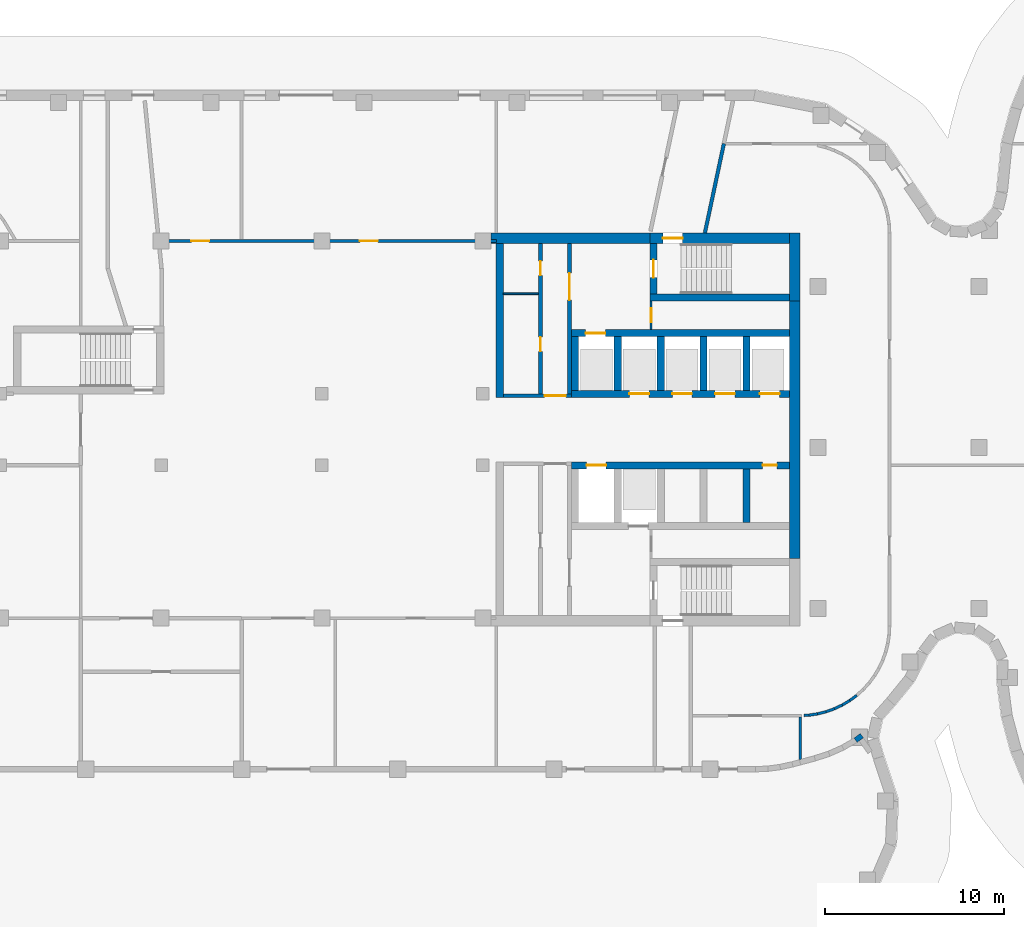
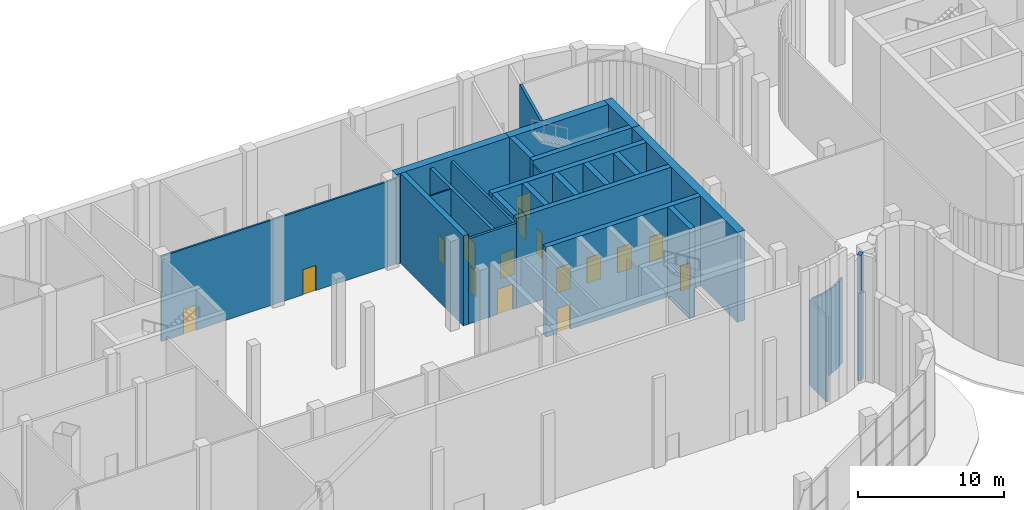
# One storey, part 18 of 30: 32 walls, 16 doors, 16 openings.
"""IFC4 building model written with IfcOpenShell, lengths in metres."""

from ifc_helpers import new_model, si_unit, direction, frame, frame_2d, origin, place, context, subcontext, project, spatial, rectangle, extrude, material, layer, layer_set, type_object, element, fill, save


model = new_model("IFC4")

# Units and contexts
model_context = context("Model", 3, precision=1e-05, world=origin(), true_north=direction((0.0, 1.0)))
body_context = subcontext(model_context, "Body", "Model", "MODEL_VIEW")
ifc_project = project(units=[si_unit("LENGTHUNIT", "METRE"), si_unit("AREAUNIT", "SQUARE_METRE"), si_unit("VOLUMEUNIT", "CUBIC_METRE"), si_unit("PLANEANGLEUNIT", "RADIAN"), si_unit("MASSUNIT", "GRAM", prefix="KILO")], contexts=[model_context])

# Site, building, storey
site_placement = place(None, origin())
site = spatial("IfcSite", under=ifc_project, at=site_placement, CompositionType="ELEMENT")
building_placement = place(site_placement, origin())
building = spatial("IfcBuilding", under=site, at=building_placement, Name="Skarvind Civic Tower", CompositionType="ELEMENT")
storey_placement = place(building_placement, origin())
storey = spatial("IfcBuildingStorey", under=building, at=storey_placement, Name="L00", CompositionType="ELEMENT", Elevation=0.0)

# Wall, opening, door
ifc_material_1 = material(Name="Fire-rated masonry partition", Category="masonry")
ifc_layer_1 = layer(ifc_material_1, 0.199951171875)
ifc_layer_set_1 = layer_set([ifc_layer_1], Name="Core enclosure wall 200")
wall_type_1 = type_object("IfcWallType", Name="Core enclosure wall 200", PredefinedType="PARTITIONING", material=ifc_layer_set_1)
wall_1_placement = place(storey_placement, frame((91.39990234375, 129.89990234375, 0.0), z_axis=(0.0, 0.0, 1.0), x_axis=(1.0, 0.0, 0.0)))
wall_1 = element("IfcWall", 1, at=wall_1_placement, inside=storey, type_object=wall_type_1, Name="Core wall C1", PredefinedType="PARTITIONING", context=body_context, shape_type="SweptSolid", body=[
    extrude(rectangle(XDim=3.800048828125, YDim=0.199951171875, at=frame_2d((1.89990234375, 0.0))), origin(), (0.0, 0.0, 1.0), 7.10009765625),
])
opening_1_placement = place(wall_1_placement, frame((2.300048828125, 0.0, 0.0)))
opening_1 = element("IfcOpeningElement", 2, at=opening_1_placement, cuts=wall_1, Name="Opening D-L00-C1-12", PredefinedType="OPENING", context=body_context, shape_type="SweptSolid", body=[
    extrude(rectangle(XDim=1.199951171875, YDim=2.10009765625, at=frame_2d((0.60009765625, 1.050048828125))), frame((0.0, 0.10986328125, 0.0), z_axis=(0.0, -1.0, 0.0), x_axis=(1.0, 0.0, 0.0)), (0.0, 0.0, 1.0), 0.219970703125),
])
ifc_material_2 = material(Name="Fire-rated steel door", Category="steel")
door_type_1 = type_object("IfcDoorType", Name="Core lobby door 1200", OperationType="NOTDEFINED", PredefinedType="DOOR", material=ifc_material_2)
door_1_placement = place(opening_1_placement, origin())
door_1 = element("IfcDoor", 3, at=door_1_placement, inside=storey, type_object=door_type_1, Name="Fire door", OperationType="DOUBLE_DOOR_SINGLE_SWING", OverallHeight=2.10009765625, OverallWidth=1.199951171875, PredefinedType="DOOR", context=body_context, shape_type="SweptSolid", body=[
    extrude(rectangle(XDim=1.199951171875, YDim=2.10009765625, at=frame_2d((0.60009765625, 1.050048828125))), frame((0.0, 0.02490234375, 0.0), z_axis=(0.0, -1.0, 0.0), x_axis=(1.0, 0.0, 0.0)), (0.0, 0.0, 1.0), 0.050048828125),
])
fill(opening_1, door_1)

wall_2_placement = place(storey_placement, frame((95.10009765625, 130.0, 0.0), z_axis=(0.0, 0.0, 1.0), x_axis=(0.0, 1.0, 0.0)))
wall_2 = element("IfcWall", 4, at=wall_2_placement, inside=storey, type_object=wall_type_1, Name="Core wall C1", PredefinedType="PARTITIONING", context=body_context, shape_type="SweptSolid", body=[
    extrude(rectangle(XDim=8.39990234375, YDim=0.199951171875, at=frame_2d((4.199951171875, 0.0))), origin(), (0.0, 0.0, 1.0), 7.10009765625),
])
opening_2_placement = place(wall_2_placement, frame((5.25, 0.0, 0.0)))
opening_2 = element("IfcOpeningElement", 5, at=opening_2_placement, cuts=wall_2, Name="Opening D-L00-C1-13", PredefinedType="OPENING", context=body_context, shape_type="SweptSolid", body=[
    extrude(rectangle(XDim=1.5, YDim=2.10009765625, at=frame_2d((0.75, 1.050048828125))), frame((0.0, 0.10986328125, 0.0), z_axis=(0.0, -1.0, 0.0), x_axis=(1.0, 0.0, 0.0)), (0.0, 0.0, 1.0), 0.219970703125),
])
door_type_2 = type_object("IfcDoorType", Name="Fire door 1500", OperationType="NOTDEFINED", PredefinedType="DOOR", material=ifc_material_2)
door_2_placement = place(opening_2_placement, origin())
door_2 = element("IfcDoor", 6, at=door_2_placement, inside=storey, type_object=door_type_2, Name="Fire door", OperationType="DOUBLE_DOOR_SINGLE_SWING", OverallHeight=2.10009765625, OverallWidth=1.5, PredefinedType="DOOR", context=body_context, shape_type="SweptSolid", body=[
    extrude(rectangle(XDim=1.5, YDim=2.10009765625, at=frame_2d((0.75, 1.050048828125))), frame((0.0, 0.02490234375, 0.0), z_axis=(0.0, -1.0, 0.0), x_axis=(1.0, 0.0, 0.0)), (0.0, 0.0, 1.0), 0.050048828125),
])
fill(opening_2, door_2)

# Walls
ifc_material_3 = material(Name="Fire-rated plasterboard partition")
ifc_layer_2 = layer(ifc_material_3, 0.10009765625)
ifc_layer_set_2 = layer_set([ifc_layer_2], Name="Core partition wall 100")
wall_type_2 = type_object("IfcWallType", Name="Core partition wall 100", PredefinedType="PARTITIONING", material=ifc_layer_set_2)
wall_3_placement = place(storey_placement, frame((91.39990234375, 135.60009765625, 0.0), z_axis=(0.0, 0.0, 1.0), x_axis=(1.0, 0.0, 0.0)))
element("IfcWall", 7, at=wall_3_placement, inside=storey, type_object=wall_type_2, Name="Core wall C1", PredefinedType="PARTITIONING", context=body_context, shape_type="SweptSolid", body=[
    extrude(rectangle(XDim=1.9501953125, YDim=0.10009765625, at=frame_2d((0.97509765625, 0.0))), origin(), (0.0, 0.0, 1.0), 7.10009765625),
])
ifc_material_4 = material(Name="Concrete C80", Category="concrete")
ifc_layer_3 = layer(ifc_material_4, 0.39990234375)
ifc_layer_set_3 = layer_set([ifc_layer_3], Name="Core wall 400 C80")
wall_type_3 = type_object("IfcWallType", Name="Core wall 400 C80", PredefinedType="SHEAR", material=ifc_layer_set_3)
wall_4_placement = place(storey_placement, frame((107.39990234375, 135.39990234375, 0.0), z_axis=(0.0, 0.0, 1.0), x_axis=(-1.0, 0.0, 0.0)))
element("IfcWall", 8, at=wall_4_placement, inside=storey, type_object=wall_type_3, Name="Core wall C1 south stair inner L00", PredefinedType="SHEAR", context=body_context, shape_type="SweptSolid", body=[
    extrude(rectangle(XDim=7.7998046875, YDim=0.39990234375, at=frame_2d((3.89990234375, 0.0))), origin(), (0.0, 0.0, 1.0), 7.5),
])

# Wall, opening, door
wall_5_placement = place(storey_placement, frame((99.800048828125, 138.39990234375, 0.0), z_axis=(0.0, 0.0, 1.0), x_axis=(0.0, -1.0, 0.0)))
wall_5 = element("IfcWall", 9, at=wall_5_placement, inside=storey, type_object=wall_type_3, Name="Core wall C1 south stair end L00", PredefinedType="SHEAR", context=body_context, shape_type="SweptSolid", body=[
    extrude(rectangle(XDim=2.7998046875, YDim=0.39990234375, at=frame_2d((1.39990234375, 0.0))), origin(), (0.0, 0.0, 1.0), 7.5),
])
opening_3_placement = place(wall_5_placement, frame((0.89990234375, 0.0, 0.0)))
opening_3 = element("IfcOpeningElement", 10, at=opening_3_placement, cuts=wall_5, Name="Opening D-L00-C1-14", PredefinedType="OPENING", context=body_context, shape_type="SweptSolid", body=[
    extrude(rectangle(XDim=1.0, YDim=2.10009765625, at=frame_2d((0.5, 1.050048828125))), frame((0.0, 0.2099609375, 0.0), z_axis=(0.0, -1.0, 0.0), x_axis=(1.0, 0.0, 0.0)), (0.0, 0.0, 1.0), 0.419921875),
])
door_type_3 = type_object("IfcDoorType", Name="Fire door 1000", OperationType="NOTDEFINED", PredefinedType="DOOR", material=ifc_material_2)
door_3_placement = place(opening_3_placement, origin())
door_3 = element("IfcDoor", 11, at=door_3_placement, inside=storey, type_object=door_type_3, Name="Fire door", OperationType="SINGLE_SWING_RIGHT", OverallHeight=2.10009765625, OverallWidth=1.0, PredefinedType="DOOR", context=body_context, shape_type="SweptSolid", body=[
    extrude(rectangle(XDim=1.0, YDim=2.10009765625, at=frame_2d((0.5, 1.050048828125))), frame((0.0, 0.02490234375, 0.0), z_axis=(0.0, -1.0, 0.0), x_axis=(1.0, 0.0, 0.0)), (0.0, 0.0, 1.0), 0.050048828125),
])
fill(opening_3, door_3)

# Wall, openings, doors
wall_6_placement = place(storey_placement, frame((107.39990234375, 130.0, 0.0), z_axis=(0.0, 0.0, 1.0), x_axis=(-1.0, 0.0, 0.0)))
wall_6 = element("IfcWall", 12, at=wall_6_placement, inside=storey, type_object=wall_type_3, Name="Core wall C1 south lift row front L00", PredefinedType="SHEAR", context=body_context, shape_type="SweptSolid", body=[
    extrude(rectangle(XDim=12.199951171875, YDim=0.39990234375, at=frame_2d((6.10009765625, 0.0))), origin(), (0.0, 0.0, 1.0), 7.5),
])
opening_4_placement = place(wall_6_placement, frame((0.550048828125, 0.0, 0.0)))
opening_4 = element("IfcOpeningElement", 13, at=opening_4_placement, cuts=wall_6, Name="Opening LD02106", PredefinedType="OPENING", context=body_context, shape_type="SweptSolid", body=[
    extrude(rectangle(XDim=1.10009765625, YDim=2.10009765625, at=frame_2d((0.550048828125, 1.050048828125))), frame((0.0, 0.2099609375, 0.0), z_axis=(0.0, -1.0, 0.0), x_axis=(1.0, 0.0, 0.0)), (0.0, 0.0, 1.0), 0.419921875),
])
opening_5_placement = place(wall_6_placement, frame((3.050048828125, 0.0, 0.0)))
opening_5 = element("IfcOpeningElement", 14, at=opening_5_placement, cuts=wall_6, Name="Opening LD02107", PredefinedType="OPENING", context=body_context, shape_type="SweptSolid", body=[
    extrude(rectangle(XDim=1.10009765625, YDim=2.10009765625, at=frame_2d((0.550048828125, 1.050048828125))), frame((0.0, 0.2099609375, 0.0), z_axis=(0.0, -1.0, 0.0), x_axis=(1.0, 0.0, 0.0)), (0.0, 0.0, 1.0), 0.419921875),
])
opening_6_placement = place(wall_6_placement, frame((5.449951171875, 0.0, 0.0)))
opening_6 = element("IfcOpeningElement", 15, at=opening_6_placement, cuts=wall_6, Name="Opening LD02108", PredefinedType="OPENING", context=body_context, shape_type="SweptSolid", body=[
    extrude(rectangle(XDim=1.10009765625, YDim=2.10009765625, at=frame_2d((0.550048828125, 1.050048828125))), frame((0.0, 0.2099609375, 0.0), z_axis=(0.0, -1.0, 0.0), x_axis=(1.0, 0.0, 0.0)), (0.0, 0.0, 1.0), 0.419921875),
])
opening_7_placement = place(wall_6_placement, frame((7.85009765625, 0.0, 0.0)))
opening_7 = element("IfcOpeningElement", 16, at=opening_7_placement, cuts=wall_6, Name="Opening LD02109", PredefinedType="OPENING", context=body_context, shape_type="SweptSolid", body=[
    extrude(rectangle(XDim=1.10009765625, YDim=2.10009765625, at=frame_2d((0.550048828125, 1.050048828125))), frame((0.0, 0.2099609375, 0.0), z_axis=(0.0, -1.0, 0.0), x_axis=(1.0, 0.0, 0.0)), (0.0, 0.0, 1.0), 0.419921875),
])
ifc_material_5 = material(Name="Stainless steel landing door", Category="steel")
door_type_4 = type_object("IfcDoorType", Name="Lift landing door 1100", OperationType="DOUBLE_DOOR_SLIDING", PredefinedType="DOOR", material=ifc_material_5)
door_4_placement = place(opening_4_placement, origin())
door_4 = element("IfcDoor", 17, at=door_4_placement, inside=storey, type_object=door_type_4, Name="Lift landing door", OperationType="DOUBLE_DOOR_SLIDING", OverallHeight=2.10009765625, OverallWidth=1.10009765625, PredefinedType="DOOR", context=body_context, shape_type="SweptSolid", body=[
    extrude(rectangle(XDim=1.10009765625, YDim=2.10009765625, at=frame_2d((0.550048828125, 1.050048828125))), frame((0.0, 0.02490234375, 0.0), z_axis=(0.0, -1.0, 0.0), x_axis=(1.0, 0.0, 0.0)), (0.0, 0.0, 1.0), 0.050048828125),
])
fill(opening_4, door_4)
door_5_placement = place(opening_5_placement, origin())
door_5 = element("IfcDoor", 18, at=door_5_placement, inside=storey, type_object=door_type_4, Name="Lift landing door", OperationType="DOUBLE_DOOR_SLIDING", OverallHeight=2.10009765625, OverallWidth=1.10009765625, PredefinedType="DOOR", context=body_context, shape_type="SweptSolid", body=[
    extrude(rectangle(XDim=1.10009765625, YDim=2.10009765625, at=frame_2d((0.550048828125, 1.050048828125))), frame((0.0, 0.02490234375, 0.0), z_axis=(0.0, -1.0, 0.0), x_axis=(1.0, 0.0, 0.0)), (0.0, 0.0, 1.0), 0.050048828125),
])
fill(opening_5, door_5)
door_6_placement = place(opening_6_placement, origin())
door_6 = element("IfcDoor", 19, at=door_6_placement, inside=storey, type_object=door_type_4, Name="Lift landing door", OperationType="DOUBLE_DOOR_SLIDING", OverallHeight=2.10009765625, OverallWidth=1.10009765625, PredefinedType="DOOR", context=body_context, shape_type="SweptSolid", body=[
    extrude(rectangle(XDim=1.10009765625, YDim=2.10009765625, at=frame_2d((0.550048828125, 1.050048828125))), frame((0.0, 0.02490234375, 0.0), z_axis=(0.0, -1.0, 0.0), x_axis=(1.0, 0.0, 0.0)), (0.0, 0.0, 1.0), 0.050048828125),
])
fill(opening_6, door_6)
door_7_placement = place(opening_7_placement, origin())
door_7 = element("IfcDoor", 20, at=door_7_placement, inside=storey, type_object=door_type_4, Name="Lift landing door", OperationType="DOUBLE_DOOR_SLIDING", OverallHeight=2.10009765625, OverallWidth=1.10009765625, PredefinedType="DOOR", context=body_context, shape_type="SweptSolid", body=[
    extrude(rectangle(XDim=1.10009765625, YDim=2.10009765625, at=frame_2d((0.550048828125, 1.050048828125))), frame((0.0, 0.02490234375, 0.0), z_axis=(0.0, -1.0, 0.0), x_axis=(1.0, 0.0, 0.0)), (0.0, 0.0, 1.0), 0.050048828125),
])
fill(opening_7, door_7)

# Wall, opening, door
wall_7_placement = place(storey_placement, frame((107.39990234375, 133.39990234375, 0.0), z_axis=(0.0, 0.0, 1.0), x_axis=(-1.0, 0.0, 0.0)))
wall_7 = element("IfcWall", 21, at=wall_7_placement, inside=storey, type_object=wall_type_3, Name="Core wall C1 south lift row back L00", PredefinedType="SHEAR", context=body_context, shape_type="SweptSolid", body=[
    extrude(rectangle(XDim=12.199951171875, YDim=0.39990234375, at=frame_2d((6.10009765625, 0.0))), origin(), (0.0, 0.0, 1.0), 7.5),
])
opening_8_placement = place(wall_7_placement, frame((10.300048828125, 0.0, 0.0)))
opening_8 = element("IfcOpeningElement", 22, at=opening_8_placement, cuts=wall_7, Name="Opening LD02110", PredefinedType="OPENING", context=body_context, shape_type="SweptSolid", body=[
    extrude(rectangle(XDim=1.10009765625, YDim=2.10009765625, at=frame_2d((0.550048828125, 1.050048828125))), frame((0.0, 0.2099609375, 0.0), z_axis=(0.0, -1.0, 0.0), x_axis=(1.0, 0.0, 0.0)), (0.0, 0.0, 1.0), 0.419921875),
])
door_8_placement = place(opening_8_placement, origin())
door_8 = element("IfcDoor", 23, at=door_8_placement, inside=storey, type_object=door_type_4, Name="Lift landing door", OperationType="DOUBLE_DOOR_SLIDING", OverallHeight=2.10009765625, OverallWidth=1.10009765625, PredefinedType="DOOR", context=body_context, shape_type="SweptSolid", body=[
    extrude(rectangle(XDim=1.10009765625, YDim=2.10009765625, at=frame_2d((0.550048828125, 1.050048828125))), frame((0.0, 0.02490234375, 0.0), z_axis=(0.0, -1.0, 0.0), x_axis=(1.0, 0.0, 0.0)), (0.0, 0.0, 1.0), 0.050048828125),
])
fill(opening_8, door_8)

# Walls
for number, where, z_axis, x_axis, name in (
    (24, (105.0, 133.199951171875, 0.0), (0.0, 0.0, 1.0), (0.0, -1.0, 0.0), "Core wall C1 south lift row division 1 L00"),
    (25, (102.60009765625, 133.199951171875, 0.0), (0.0, 0.0, 1.0), (0.0, -1.0, 0.0), "Core wall C1 south lift row division 2 L00"),
    (26, (100.199951171875, 133.199951171875, 0.0), (0.0, 0.0, 1.0), (0.0, -1.0, 0.0), "Core wall C1 south lift row division 3 L00"),
    (27, (97.800048828125, 133.199951171875, 0.0), (0.0, 0.0, 1.0), (0.0, -1.0, 0.0), "Core wall C1 south lift row division 4 L00"),
    (28, (95.39990234375, 133.199951171875, 0.0), (0.0, 0.0, 1.0), (0.0, -1.0, 0.0), "Core wall C1 south lift row division 5 L00"),
):
    element("IfcWall", number, at=place(storey_placement, frame(where, z_axis=z_axis, x_axis=x_axis)), inside=storey, type_object=wall_type_3, Name=name, PredefinedType="SHEAR", context=body_context, shape_type="SweptSolid", body=[
        extrude(rectangle(XDim=3.0, YDim=0.39990234375, at=frame_2d((1.5, 0.0))), origin(), (0.0, 0.0, 1.0), 7.5),
    ])

# Wall, openings, doors
wall_8_placement = place(storey_placement, frame((107.39990234375, 126.0, 0.0), z_axis=(0.0, 0.0, 1.0), x_axis=(-1.0, 0.0, 0.0)))
wall_8 = element("IfcWall", 29, at=wall_8_placement, inside=storey, type_object=wall_type_3, Name="Core wall C1 north lift row front L00", PredefinedType="SHEAR", context=body_context, shape_type="SweptSolid", body=[
    extrude(rectangle(XDim=12.199951171875, YDim=0.39990234375, at=frame_2d((6.10009765625, 0.0))), origin(), (0.0, 0.0, 1.0), 7.5),
])
opening_9_placement = place(wall_8_placement, frame((10.25, 0.0, 0.0)))
opening_9 = element("IfcOpeningElement", 30, at=opening_9_placement, cuts=wall_8, Name="Opening LD02105", PredefinedType="OPENING", context=body_context, shape_type="SweptSolid", body=[
    extrude(rectangle(XDim=1.10009765625, YDim=2.10009765625, at=frame_2d((0.550048828125, 1.050048828125))), frame((0.0, 0.2099609375, 0.0), z_axis=(0.0, -1.0, 0.0), x_axis=(1.0, 0.0, 0.0)), (0.0, 0.0, 1.0), 0.419921875),
])
opening_10_placement = place(wall_8_placement, frame((0.699951171875, 0.0, 0.0)))
opening_10 = element("IfcOpeningElement", 31, at=opening_10_placement, cuts=wall_8, Name="Opening D-L00-C1-06", PredefinedType="OPENING", context=body_context, shape_type="SweptSolid", body=[
    extrude(rectangle(XDim=0.800048828125, YDim=2.10009765625, at=frame_2d((0.39990234375, 1.050048828125))), frame((0.0, 0.2099609375, 0.0), z_axis=(0.0, -1.0, 0.0), x_axis=(1.0, 0.0, 0.0)), (0.0, 0.0, 1.0), 0.419921875),
])
door_type_5 = type_object("IfcDoorType", Name="Core riser door 800", OperationType="NOTDEFINED", PredefinedType="DOOR", material=ifc_material_2)
door_9_placement = place(opening_10_placement, origin())
door_9 = element("IfcDoor", 32, at=door_9_placement, inside=storey, type_object=door_type_5, Name="Riser door", OperationType="SINGLE_SWING_LEFT", OverallHeight=2.10009765625, OverallWidth=0.800048828125, PredefinedType="DOOR", context=body_context, shape_type="SweptSolid", body=[
    extrude(rectangle(XDim=0.800048828125, YDim=2.10009765625, at=frame_2d((0.39990234375, 1.050048828125))), frame((0.0, 0.02490234375, 0.0), z_axis=(0.0, -1.0, 0.0), x_axis=(1.0, 0.0, 0.0)), (0.0, 0.0, 1.0), 0.050048828125),
])
fill(opening_10, door_9)
door_10_placement = place(opening_9_placement, origin())
door_10 = element("IfcDoor", 33, at=door_10_placement, inside=storey, type_object=door_type_4, Name="Lift landing door", OperationType="DOUBLE_DOOR_SLIDING", OverallHeight=2.10009765625, OverallWidth=1.10009765625, PredefinedType="DOOR", context=body_context, shape_type="SweptSolid", body=[
    extrude(rectangle(XDim=1.10009765625, YDim=2.10009765625, at=frame_2d((0.550048828125, 1.050048828125))), frame((0.0, 0.02490234375, 0.0), z_axis=(0.0, -1.0, 0.0), x_axis=(1.0, 0.0, 0.0)), (0.0, 0.0, 1.0), 0.050048828125),
])
fill(opening_9, door_10)

# Walls
wall_9_placement = place(storey_placement, frame((105.0, 125.800048828125, 0.0), z_axis=(0.0, 0.0, 1.0), x_axis=(0.0, -1.0, 0.0)))
element("IfcWall", 34, at=wall_9_placement, inside=storey, type_object=wall_type_3, Name="Core wall C1 north lift row division 1 L00", PredefinedType="SHEAR", context=body_context, shape_type="SweptSolid", body=[
    extrude(rectangle(XDim=3.0, YDim=0.39990234375, at=frame_2d((1.5, 0.0))), origin(), (0.0, 0.0, 1.0), 7.5),
])
wall_10_placement = place(storey_placement, frame((91.199951171875, 138.39990234375, 0.0), z_axis=(0.0, 0.0, 1.0), x_axis=(0.0, -1.0, 0.0)))
element("IfcWall", 35, at=wall_10_placement, inside=storey, type_object=wall_type_3, Name="Core wall C1 south inner face L00", PredefinedType="SHEAR", context=body_context, shape_type="SweptSolid", body=[
    extrude(rectangle(XDim=8.599853515625, YDim=0.39990234375, at=frame_2d((4.2998046875, 0.0))), origin(), (0.0, 0.0, 1.0), 7.5),
])
ifc_layer_4 = layer(ifc_material_4, 0.60009765625)
ifc_layer_set_4 = layer_set([ifc_layer_4], Name="Core wall 600 C80")
wall_type_4 = type_object("IfcWallType", Name="Core wall 600 C80", PredefinedType="SHEAR", material=ifc_layer_set_4)
wall_11_placement = place(storey_placement, frame((107.699951171875, 139.0, 0.0), z_axis=(0.0, 0.0, 1.0), x_axis=(0.0, -1.0, 0.0)))
element("IfcWall", 36, at=wall_11_placement, inside=storey, type_object=wall_type_4, Name="Core wall C1 tip at the south stair L00", PredefinedType="SHEAR", context=body_context, shape_type="SweptSolid", body=[
    extrude(rectangle(XDim=3.800048828125, YDim=0.60009765625, at=frame_2d((1.89990234375, 0.0))), origin(), (0.0, 0.0, 1.0), 7.5),
])
wall_12_placement = place(storey_placement, frame((107.699951171875, 135.199951171875, 0.0), z_axis=(0.0, 0.0, 1.0), x_axis=(0.0, -1.0, 0.0)))
element("IfcWall", 37, at=wall_12_placement, inside=storey, type_object=wall_type_4, Name="Core wall C1 tip between the stairs L00", PredefinedType="SHEAR", context=body_context, shape_type="SweptSolid", body=[
    extrude(rectangle(XDim=14.39990234375, YDim=0.60009765625, at=frame_2d((7.199951171875, 0.0))), origin(), (0.0, 0.0, 1.0), 7.5),
])

# Wall, opening, door
wall_13_placement = place(storey_placement, frame((107.39990234375, 138.699951171875, 0.0), z_axis=(0.0, 0.0, 1.0), x_axis=(-1.0, 0.0, 0.0)))
wall_13 = element("IfcWall", 38, at=wall_13_placement, inside=storey, type_object=wall_type_4, Name="Core wall C1 south side at the stair L00", PredefinedType="SHEAR", context=body_context, shape_type="SweptSolid", body=[
    extrude(rectangle(XDim=7.7998046875, YDim=0.60009765625, at=frame_2d((3.89990234375, 0.0))), origin(), (0.0, 0.0, 1.0), 7.5),
])
opening_11_placement = place(wall_13_placement, frame((5.97509765625, 0.0, 0.0)))
opening_11 = element("IfcOpeningElement", 39, at=opening_11_placement, cuts=wall_13, Name="Opening D-L00-C1-20", PredefinedType="OPENING", context=body_context, shape_type="SweptSolid", body=[
    extrude(rectangle(XDim=1.10009765625, YDim=2.10009765625, at=frame_2d((0.550048828125, 1.050048828125))), frame((0.0, 0.31005859375, 0.0), z_axis=(0.0, -1.0, 0.0), x_axis=(1.0, 0.0, 0.0)), (0.0, 0.0, 1.0), 0.6201171875),
])
door_type_6 = type_object("IfcDoorType", Name="Fire door 1100", OperationType="NOTDEFINED", PredefinedType="DOOR", material=ifc_material_2)
door_11_placement = place(opening_11_placement, origin())
door_11 = element("IfcDoor", 40, at=door_11_placement, inside=storey, type_object=door_type_6, Name="Stair exit door", OperationType="SINGLE_SWING_LEFT", OverallHeight=2.10009765625, OverallWidth=1.10009765625, PredefinedType="DOOR", context=body_context, shape_type="SweptSolid", body=[
    extrude(rectangle(XDim=1.10009765625, YDim=2.10009765625, at=frame_2d((0.550048828125, 1.050048828125))), frame((0.0, 0.02490234375, 0.0), z_axis=(0.0, -1.0, 0.0), x_axis=(1.0, 0.0, 0.0)), (0.0, 0.0, 1.0), 0.050048828125),
])
fill(opening_11, door_11)

# Walls
wall_14_placement = place(storey_placement, frame((99.60009765625, 138.699951171875, 0.0), z_axis=(0.0, 0.0, 1.0), x_axis=(-1.0, 0.0, 0.0)))
element("IfcWall", 41, at=wall_14_placement, inside=storey, type_object=wall_type_4, Name="Core wall C1 south side L00", PredefinedType="SHEAR", context=body_context, shape_type="SweptSolid", body=[
    extrude(rectangle(XDim=8.900146484375, YDim=0.60009765625, at=frame_2d((4.4501953125, 0.0))), origin(), (0.0, 0.0, 1.0), 7.5),
])
ifc_material_6 = material(Name="Fire-rated blockwork wall, plastered", Category="masonry")
ifc_layer_5 = layer(ifc_material_6, 0.199951171875)
ifc_layer_set_5 = layer_set([ifc_layer_5], Name="FIRE WALL 200 EI 120")
wall_type_5 = type_object("IfcWallType", Name="FIRE WALL 200 EI 120", PredefinedType="PARTITIONING", material=ifc_layer_set_5)
wall_15_placement = place(storey_placement, frame((102.672119140625, 139.0, 0.0), z_axis=(0.0, 0.0, 1.0), x_axis=(0.207950149313, 0.978139425338, 0.0)))
element("IfcWall", 42, at=wall_15_placement, inside=storey, type_object=wall_type_5, Name="Podium partition L00 122", PredefinedType="PARTITIONING", context=body_context, shape_type="SweptSolid", body=[
    extrude(rectangle(XDim=5.11181640625, YDim=0.199951171875, at=frame_2d((2.555908203125, 0.0))), origin(), (0.0, 0.0, 1.0), 7.10009765625),
])
ifc_material_7 = material(Name="Dense blockwork wall, plastered", Category="masonry")
ifc_layer_6 = layer(ifc_material_7, 0.300048828125)
ifc_layer_set_6 = layer_set([ifc_layer_6], Name="MASONRY WALL 300")
wall_type_6 = type_object("IfcWallType", Name="MASONRY WALL 300", PredefinedType="PARTITIONING", material=ifc_layer_set_6)
wall_16_placement = place(storey_placement, frame((111.10107421875, 110.62109375, 0.0), z_axis=(0.0, 0.0, 1.0), x_axis=(0.808639342556, 0.588304694585, 0.0)))
element("IfcWall", 43, at=wall_16_placement, inside=storey, type_object=wall_type_6, Name="Podium partition L00 148", PredefinedType="PARTITIONING", context=body_context, shape_type="SweptSolid", body=[
    extrude(rectangle(XDim=0.4365234375, YDim=0.300048828125, at=frame_2d((0.21826171875, 0.0))), origin(), (0.0, 0.0, 1.0), 10.5),
])

# Wall, openings, doors
ifc_material_8 = material(Name="Plasterboard partition on steel studs", Category="steel")
ifc_layer_7 = layer(ifc_material_8, 0.14990234375)
ifc_layer_set_7 = layer_set([ifc_layer_7], Name="PARTITION 150")
wall_type_7 = type_object("IfcWallType", Name="PARTITION 150", PredefinedType="PARTITIONING", material=ifc_layer_set_7)
wall_17_placement = place(storey_placement, frame((72.219970703125, 138.550048828125, 0.0), z_axis=(0.0, 0.0, 1.0), x_axis=(1.0, 0.0, 0.0)))
wall_17 = element("IfcWall", 44, at=wall_17_placement, inside=storey, type_object=wall_type_7, Name="Podium partition L00 106", PredefinedType="PARTITIONING", context=body_context, shape_type="SweptSolid", body=[
    extrude(rectangle(XDim=18.780029296875, YDim=0.14990234375, at=frame_2d((9.39013671875, 0.0))), origin(), (0.0, 0.0, 1.0), 7.10009765625),
])
opening_12_placement = place(wall_17_placement, frame((1.717041015625, 0.0, 0.0)))
opening_12 = element("IfcOpeningElement", 45, at=opening_12_placement, cuts=wall_17, Name="Opening L00-D220", PredefinedType="OPENING", context=body_context, shape_type="SweptSolid", body=[
    extrude(rectangle(XDim=1.0, YDim=2.10009765625, at=frame_2d((0.5, 1.050048828125))), frame((0.0, 0.0849609375, 0.0), z_axis=(0.0, -1.0, 0.0), x_axis=(1.0, 0.0, 0.0)), (0.0, 0.0, 1.0), 0.169921875),
])
opening_13_placement = place(wall_17_placement, frame((11.153076171875, 0.0, 0.0)))
opening_13 = element("IfcOpeningElement", 46, at=opening_13_placement, cuts=wall_17, Name="Opening L00-D223", PredefinedType="OPENING", context=body_context, shape_type="SweptSolid", body=[
    extrude(rectangle(XDim=1.0, YDim=2.10009765625, at=frame_2d((0.5, 1.050048828125))), frame((0.0, 0.0849609375, 0.0), z_axis=(0.0, -1.0, 0.0), x_axis=(1.0, 0.0, 0.0)), (0.0, 0.0, 1.0), 0.169921875),
])
ifc_material_9 = material(Name="Timber veneer door leaf", Category="wood")
door_type_7 = type_object("IfcDoorType", Name="DOOR 1000X2100 TIMBER", OperationType="NOTDEFINED", PredefinedType="DOOR", material=ifc_material_9)
door_12_placement = place(opening_12_placement, origin())
door_12 = element("IfcDoor", 47, at=door_12_placement, inside=storey, type_object=door_type_7, Name="DOOR DOOR", OperationType="SINGLE_SWING_RIGHT", OverallHeight=2.10009765625, OverallWidth=1.0, PredefinedType="DOOR", context=body_context, shape_type="SweptSolid", body=[
    extrude(rectangle(XDim=1.0, YDim=2.10009765625, at=frame_2d((0.5, 1.050048828125))), frame((0.0, 0.02490234375, 0.0), z_axis=(0.0, -1.0, 0.0), x_axis=(1.0, 0.0, 0.0)), (0.0, 0.0, 1.0), 0.050048828125),
])
fill(opening_12, door_12)
door_13_placement = place(opening_13_placement, origin())
door_13 = element("IfcDoor", 48, at=door_13_placement, inside=storey, type_object=door_type_7, Name="DOOR DOOR", OperationType="SINGLE_SWING_LEFT", OverallHeight=2.10009765625, OverallWidth=1.0, PredefinedType="DOOR", context=body_context, shape_type="SweptSolid", body=[
    extrude(rectangle(XDim=1.0, YDim=2.10009765625, at=frame_2d((0.5, 1.050048828125))), frame((0.0, 0.02490234375, 0.0), z_axis=(0.0, -1.0, 0.0), x_axis=(1.0, 0.0, 0.0)), (0.0, 0.0, 1.0), 0.050048828125),
])
fill(opening_13, door_13)

# Walls
wall_18_placement = place(storey_placement, frame((108.0, 109.54296875, 0.0), z_axis=(0.0, 0.0, 1.0), x_axis=(0.0, 1.0, 0.0)))
element("IfcWall", 49, at=wall_18_placement, inside=storey, type_object=wall_type_7, Name="Podium partition L00 129", PredefinedType="PARTITIONING", context=body_context, shape_type="SweptSolid", body=[
    extrude(rectangle(XDim=2.382080078125, YDim=0.14990234375, at=frame_2d((1.19091796875, 0.0))), origin(), (0.0, 0.0, 1.0), 7.10009765625),
])
wall_19_placement = place(storey_placement, frame((108.214111328125, 112.010009765625, 0.0), z_axis=(0.0, 0.0, 1.0), x_axis=(0.99876534507, 0.049676810357, 0.0)))
element("IfcWall", 50, at=wall_19_placement, inside=storey, type_object=wall_type_7, Name="Podium partition L00 131", PredefinedType="PARTITIONING", context=body_context, shape_type="SweptSolid", body=[
    extrude(rectangle(XDim=0.280029296875, YDim=0.14990234375, at=frame_2d((0.14013671875, 0.0))), origin(), (0.0, 0.0, 1.0), 7.10009765625),
])
wall_20_placement = place(storey_placement, frame((108.486083984375, 112.02294921875, 0.0), z_axis=(0.0, 0.0, 1.0), x_axis=(0.988925572052, 0.148412307247, 0.0)))
element("IfcWall", 51, at=wall_20_placement, inside=storey, type_object=wall_type_7, Name="Podium partition L00 133", PredefinedType="PARTITIONING", context=body_context, shape_type="SweptSolid", body=[
    extrude(rectangle(XDim=0.49853515625, YDim=0.14990234375, at=frame_2d((0.249267578125, 0.0))), origin(), (0.0, 0.0, 1.0), 7.10009765625),
])
wall_21_placement = place(storey_placement, frame((108.970947265625, 112.094970703125, 0.0), z_axis=(0.0, 0.0, 1.0), x_axis=(0.970113715952, 0.242650732785, 0.0)))
element("IfcWall", 52, at=wall_21_placement, inside=storey, type_object=wall_type_7, Name="Podium partition L00 136", PredefinedType="PARTITIONING", context=body_context, shape_type="SweptSolid", body=[
    extrude(rectangle(XDim=0.4990234375, YDim=0.14990234375, at=frame_2d((0.24951171875, 0.0))), origin(), (0.0, 0.0, 1.0), 7.10009765625),
])
for number, where, z_axis, x_axis, name in (
    (53, (109.447021484375, 112.214111328125, 0.0), (0.0, 0.0, 1.0), (0.941442168887, 0.3371744988, 0.0), "Podium partition L00 138"),
    (54, (109.909912109375, 112.37890625, 0.0), (0.0, 0.0, 1.0), (0.903827641978, 0.427896709028, 0.0), "Podium partition L00 141"),
):
    element("IfcWall", number, at=place(storey_placement, frame(where, z_axis=z_axis, x_axis=x_axis)), inside=storey, type_object=wall_type_7, Name=name, PredefinedType="PARTITIONING", context=body_context, shape_type="SweptSolid", body=[
        extrude(rectangle(XDim=0.498046875, YDim=0.14990234375, at=frame_2d((0.2490234375, 0.0))), origin(), (0.0, 0.0, 1.0), 7.10009765625),
    ])
wall_22_placement = place(storey_placement, frame((110.35400390625, 112.587890625, 0.0), z_axis=(0.0, 0.0, 1.0), x_axis=(0.85671397893, 0.515791778052, 0.0)))
element("IfcWall", 55, at=wall_22_placement, inside=storey, type_object=wall_type_7, Name="Podium partition L00 143", PredefinedType="PARTITIONING", context=body_context, shape_type="SweptSolid", body=[
    extrude(rectangle(XDim=0.49853515625, YDim=0.14990234375, at=frame_2d((0.249267578125, 0.0))), origin(), (0.0, 0.0, 1.0), 7.10009765625),
])
wall_23_placement = place(storey_placement, frame((110.77490234375, 112.841064453125, 0.0), z_axis=(0.0, 0.0, 1.0), x_axis=(0.80404358372, 0.594570362092, 0.0)))
element("IfcWall", 56, at=wall_23_placement, inside=storey, type_object=wall_type_7, Name="Podium partition L00 146", PredefinedType="PARTITIONING", context=body_context, shape_type="SweptSolid", body=[
    extrude(rectangle(XDim=0.49755859375, YDim=0.14990234375, at=frame_2d((0.248779296875, 0.0))), origin(), (0.0, 0.0, 1.0), 7.10009765625),
])

# Wall, opening, door
ifc_layer_8 = layer(ifc_material_1, 0.125)
ifc_layer_set_8 = layer_set([ifc_layer_8], Name="Riser wall 125")
wall_type_8 = type_object("IfcWallType", Name="Riser wall 125", PredefinedType="PARTITIONING", material=ifc_layer_set_8)
wall_24_placement = place(storey_placement, frame((99.66259765625, 133.60009765625, 0.0), z_axis=(0.0, 0.0, 1.0), x_axis=(0.0, 1.0, 0.0)))
wall_24 = element("IfcWall", 57, at=wall_24_placement, inside=storey, type_object=wall_type_8, Name="Core wall C1", PredefinedType="PARTITIONING", context=body_context, shape_type="SweptSolid", body=[
    extrude(rectangle(XDim=1.599853515625, YDim=0.125, at=frame_2d((0.7998046875, 0.0))), origin(), (0.0, 0.0, 1.0), 7.10009765625),
])
opening_14_placement = place(wall_24_placement, frame((0.39990234375, 0.0, 0.0)))
opening_14 = element("IfcOpeningElement", 58, at=opening_14_placement, cuts=wall_24, Name="Opening D-L00-C1-15", PredefinedType="OPENING", context=body_context, shape_type="SweptSolid", body=[
    extrude(rectangle(XDim=0.800048828125, YDim=2.10009765625, at=frame_2d((0.39990234375, 1.050048828125))), frame((0.0, 0.072509765625, 0.0), z_axis=(0.0, -1.0, 0.0), x_axis=(1.0, 0.0, 0.0)), (0.0, 0.0, 1.0), 0.14501953125),
])
door_14_placement = place(opening_14_placement, origin())
door_14 = element("IfcDoor", 59, at=door_14_placement, inside=storey, type_object=door_type_5, Name="Riser door", OperationType="SINGLE_SWING_LEFT", OverallHeight=2.10009765625, OverallWidth=0.800048828125, PredefinedType="DOOR", context=body_context, shape_type="SweptSolid", body=[
    extrude(rectangle(XDim=0.800048828125, YDim=2.10009765625, at=frame_2d((0.39990234375, 1.050048828125))), frame((0.0, 0.02490234375, 0.0), z_axis=(0.0, -1.0, 0.0), x_axis=(1.0, 0.0, 0.0)), (0.0, 0.0, 1.0), 0.050048828125),
])
fill(opening_14, door_14)

# Wall, openings, doors
ifc_layer_9 = layer(ifc_material_1, 0.25)
ifc_layer_set_9 = layer_set([ifc_layer_9], Name="Service block wall 250")
wall_type_9 = type_object("IfcWallType", Name="Service block wall 250", PredefinedType="PARTITIONING", material=ifc_layer_set_9)
wall_25_placement = place(storey_placement, frame((93.47509765625, 130.0, 0.0), z_axis=(0.0, 0.0, 1.0), x_axis=(0.0, 1.0, 0.0)))
wall_25 = element("IfcWall", 60, at=wall_25_placement, inside=storey, type_object=wall_type_9, Name="Core wall C1", PredefinedType="PARTITIONING", context=body_context, shape_type="SweptSolid", body=[
    extrude(rectangle(XDim=8.39990234375, YDim=0.25, at=frame_2d((4.199951171875, 0.0))), origin(), (0.0, 0.0, 1.0), 7.10009765625),
])
opening_15_placement = place(wall_25_placement, frame((2.375, 0.0, 0.0)))
opening_15 = element("IfcOpeningElement", 61, at=opening_15_placement, cuts=wall_25, Name="Opening D-L00-C1-16", PredefinedType="OPENING", context=body_context, shape_type="SweptSolid", body=[
    extrude(rectangle(XDim=0.800048828125, YDim=2.10009765625, at=frame_2d((0.39990234375, 1.050048828125))), frame((0.0, 0.135009765625, 0.0), z_axis=(0.0, -1.0, 0.0), x_axis=(1.0, 0.0, 0.0)), (0.0, 0.0, 1.0), 0.27001953125),
])
opening_16_placement = place(wall_25_placement, frame((6.625, 0.0, 0.0)))
opening_16 = element("IfcOpeningElement", 62, at=opening_16_placement, cuts=wall_25, Name="Opening D-L00-C1-17", PredefinedType="OPENING", context=body_context, shape_type="SweptSolid", body=[
    extrude(rectangle(XDim=0.800048828125, YDim=2.10009765625, at=frame_2d((0.39990234375, 1.050048828125))), frame((0.0, 0.135009765625, 0.0), z_axis=(0.0, -1.0, 0.0), x_axis=(1.0, 0.0, 0.0)), (0.0, 0.0, 1.0), 0.27001953125),
])
door_15_placement = place(opening_15_placement, origin())
door_15 = element("IfcDoor", 63, at=door_15_placement, inside=storey, type_object=door_type_5, Name="Riser door", OperationType="SINGLE_SWING_RIGHT", OverallHeight=2.10009765625, OverallWidth=0.800048828125, PredefinedType="DOOR", context=body_context, shape_type="SweptSolid", body=[
    extrude(rectangle(XDim=0.800048828125, YDim=2.10009765625, at=frame_2d((0.39990234375, 1.050048828125))), frame((0.0, 0.02490234375, 0.0), z_axis=(0.0, -1.0, 0.0), x_axis=(1.0, 0.0, 0.0)), (0.0, 0.0, 1.0), 0.050048828125),
])
fill(opening_15, door_15)
door_16_placement = place(opening_16_placement, origin())
door_16 = element("IfcDoor", 64, at=door_16_placement, inside=storey, type_object=door_type_5, Name="Riser door", OperationType="SINGLE_SWING_LEFT", OverallHeight=2.10009765625, OverallWidth=0.800048828125, PredefinedType="DOOR", context=body_context, shape_type="SweptSolid", body=[
    extrude(rectangle(XDim=0.800048828125, YDim=2.10009765625, at=frame_2d((0.39990234375, 1.050048828125))), frame((0.0, 0.02490234375, 0.0), z_axis=(0.0, -1.0, 0.0), x_axis=(1.0, 0.0, 0.0)), (0.0, 0.0, 1.0), 0.050048828125),
])
fill(opening_16, door_16)

save(model, "model.ifc")
